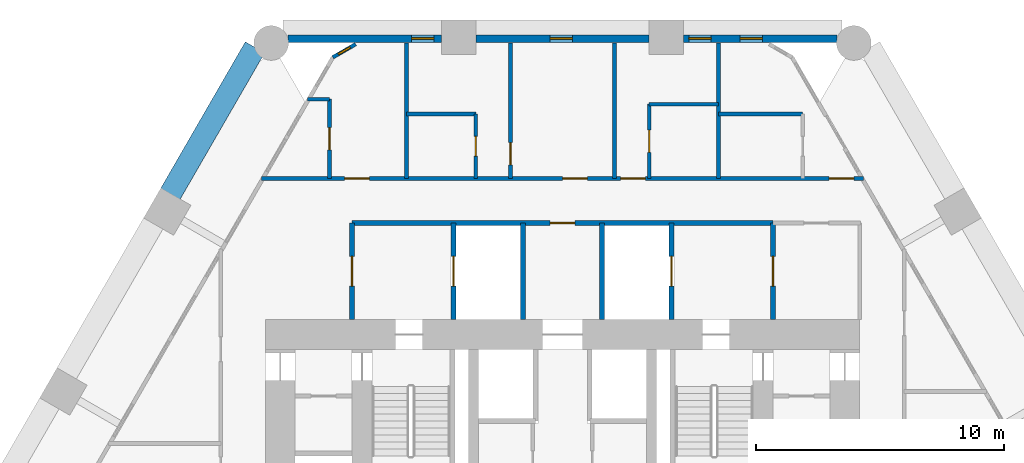
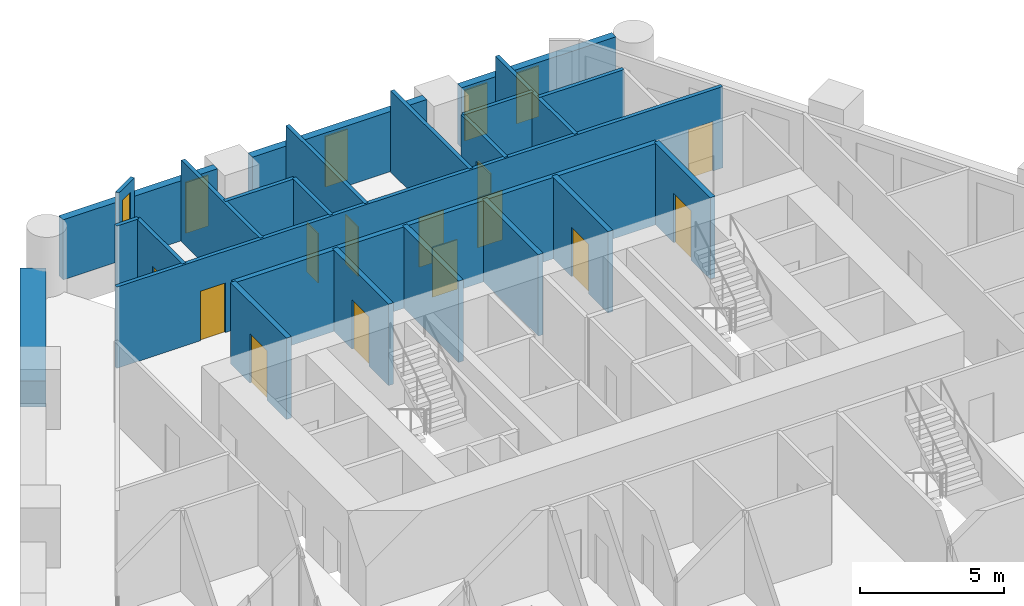
# One storey, part 6 of 8: 24 walls, 13 doors, 5 windows, 18 openings.
"""IFC4 building model written with IfcOpenShell, lengths in metres."""

from ifc_helpers import new_model, si_unit, direction, frame, frame_2d, origin, place, context, subcontext, project, spatial, rectangle, extrude, material, layer, layer_set, type_object, element, fill, save


model = new_model("IFC4")

# Units and contexts
model_context = context("Model", 3, precision=1e-05, world=origin(), true_north=direction((0.0, 1.0)))
body_context = subcontext(model_context, "Body", "Model", "MODEL_VIEW")
ifc_project = project(units=[si_unit("LENGTHUNIT", "METRE"), si_unit("AREAUNIT", "SQUARE_METRE"), si_unit("VOLUMEUNIT", "CUBIC_METRE"), si_unit("PLANEANGLEUNIT", "RADIAN"), si_unit("MASSUNIT", "GRAM", prefix="KILO")], contexts=[model_context])

# Site, building, storey
site_placement = place(None, origin())
site = spatial("IfcSite", under=ifc_project, at=site_placement, CompositionType="ELEMENT")
building_placement = place(site_placement, origin())
building = spatial("IfcBuilding", under=site, at=building_placement, Name="Ostrander Bayou Hotel Tower", CompositionType="ELEMENT")
storey_placement = place(building_placement, frame((0.0, 0.0, 43.0)))
storey = spatial("IfcBuildingStorey", under=building, at=storey_placement, Name="L10", CompositionType="ELEMENT", Elevation=43.0)

# Wall, opening, window
ifc_material_1 = material(Name="Aluminium framed insulated wall", Category="aluminium")
ifc_layer_1 = layer(ifc_material_1, 0.14990234375)
ifc_layer_set_1 = layer_set([ifc_layer_1], Name="GW1 glass-line wall 150 mm")
wall_type_1 = type_object("IfcWallType", Name="GW1 glass-line wall 150 mm", PredefinedType="SOLIDWALL", material=ifc_layer_set_1)
wall_1_placement = place(storey_placement, frame((-8.353759765625, 20.824951171875, 0.0), z_axis=(0.0, 0.0, 1.0), x_axis=(-0.865990848561, -0.500059846627, 0.0)))
wall_1 = element("IfcWall", 1, at=wall_1_placement, inside=storey, type_object=wall_type_1, Name="GW1 L10 corner 1", PredefinedType="SOLIDWALL", context=body_context, shape_type="SweptSolid", body=[
    extrude(rectangle(XDim=1.064697265625, YDim=0.14990234375, at=frame_2d((0.5322265625, 0.0))), origin(), (0.0, 0.0, 1.0), 3.449951171875),
])
opening_1_placement = place(wall_1_placement, frame((0.257568359375, 0.0, 0.14990234375)))
opening_1 = element("IfcOpeningElement", 2, at=opening_1_placement, cuts=wall_1, Name="Opening W19", PredefinedType="OPENING", context=body_context, shape_type="SweptSolid", body=[
    extrude(rectangle(XDim=0.550048828125, YDim=2.85009765625, at=frame_2d((0.27490234375, 1.425048828125))), frame((0.0, 0.074951171875, 0.0), z_axis=(0.0, -1.0, 0.0), x_axis=(1.0, 0.0, 0.0)), (0.0, 0.0, 1.0), 0.14990234375),
])
ifc_material_2 = material(Name="Aluminium and clear glass", Category="aluminium")
window_type_1 = type_object("IfcWindowType", Name="W19 corner window 550 mm", PartitioningType="SINGLE_PANEL", PredefinedType="WINDOW", material=ifc_material_2)
window_1_placement = place(opening_1_placement, origin())
window_1 = element("IfcWindow", 3, at=window_1_placement, inside=storey, type_object=window_type_1, Name="W19 L10 corner 1", OverallHeight=2.85009765625, OverallWidth=0.550048828125, PartitioningType="SINGLE_PANEL", PredefinedType="WINDOW", context=body_context, shape_type="SweptSolid", body=[
    extrude(rectangle(XDim=0.550048828125, YDim=2.85009765625, at=frame_2d((0.27490234375, 1.425048828125))), frame((0.0, 0.030029296875, 0.0), z_axis=(0.0, -1.0, 0.0), x_axis=(1.0, 0.0, 0.0)), (0.0, 0.0, 1.0), 0.06005859375),
])
fill(opening_1, window_1)

# Wall, openings, windows
ifc_material_3 = material(Name="Reconstituted stone on masonry backing", Category="masonry")
ifc_layer_2 = layer(ifc_material_3, 0.300048828125)
ifc_layer_set_2 = layer_set([ifc_layer_2], Name="NW1 north stone wall 300 mm")
wall_type_2 = type_object("IfcWallType", Name="NW1 north stone wall 300 mm", PredefinedType="SOLIDWALL", material=ifc_layer_set_2)
wall_2_placement = place(storey_placement, frame((11.093017578125, 21.050048828125, 0.0), z_axis=(0.0, 0.0, 1.0), x_axis=(-1.0, 0.0, 0.0)))
wall_2 = element("IfcWall", 4, at=wall_2_placement, inside=storey, type_object=wall_type_2, Name="NW1 L10 N-1", PredefinedType="SOLIDWALL", context=body_context, shape_type="SweptSolid", body=[
    extrude(rectangle(XDim=6.197509765625, YDim=0.300048828125, at=frame_2d((3.0986328125, 0.0))), origin(), (0.0, 0.0, 1.0), 2.550048828125),
])
opening_2_placement = place(wall_2_placement, frame((3.020263671875, 0.0, 0.14990234375)))
opening_2 = element("IfcOpeningElement", 5, at=opening_2_placement, cuts=wall_2, Name="Opening W15", PredefinedType="OPENING", context=body_context, shape_type="SweptSolid", body=[
    extrude(rectangle(XDim=0.89990234375, YDim=2.14990234375, at=frame_2d((0.449951171875, 1.074951171875))), frame((0.0, 0.14990234375, 0.0), z_axis=(0.0, -1.0, 0.0), x_axis=(1.0, 0.0, 0.0)), (0.0, 0.0, 1.0), 0.300048828125),
])
opening_3_placement = place(wall_2_placement, frame((5.093017578125, 0.0, 0.14990234375)))
opening_3 = element("IfcOpeningElement", 6, at=opening_3_placement, cuts=wall_2, Name="Opening W15", PredefinedType="OPENING", context=body_context, shape_type="SweptSolid", body=[
    extrude(rectangle(XDim=0.89990234375, YDim=2.14990234375, at=frame_2d((0.449951171875, 1.074951171875))), frame((0.0, 0.14990234375, 0.0), z_axis=(0.0, -1.0, 0.0), x_axis=(1.0, 0.0, 0.0)), (0.0, 0.0, 1.0), 0.300048828125),
])
ifc_material_4 = material(Name="Aluminium and clear glass", Category="aluminium")
window_type_2 = type_object("IfcWindowType", Name="W15 window 900 mm, zone 1", PartitioningType="SINGLE_PANEL", PredefinedType="WINDOW", material=ifc_material_4)
window_2_placement = place(opening_2_placement, origin())
window_2 = element("IfcWindow", 7, at=window_2_placement, inside=storey, type_object=window_type_2, Name="W15 L10 north N-1", OverallHeight=2.14990234375, OverallWidth=0.89990234375, PartitioningType="SINGLE_PANEL", PredefinedType="WINDOW", context=body_context, shape_type="SweptSolid", body=[
    extrude(rectangle(XDim=0.89990234375, YDim=2.14990234375, at=frame_2d((0.449951171875, 1.074951171875))), frame((0.0, 0.030029296875, 0.0), z_axis=(0.0, -1.0, 0.0), x_axis=(1.0, 0.0, 0.0)), (0.0, 0.0, 1.0), 0.06005859375),
])
fill(opening_2, window_2)
window_3_placement = place(opening_3_placement, origin())
window_3 = element("IfcWindow", 8, at=window_3_placement, inside=storey, type_object=window_type_2, Name="W15 L10 north N-1-2", OverallHeight=2.14990234375, OverallWidth=0.89990234375, PartitioningType="SINGLE_PANEL", PredefinedType="WINDOW", context=body_context, shape_type="SweptSolid", body=[
    extrude(rectangle(XDim=0.89990234375, YDim=2.14990234375, at=frame_2d((0.449951171875, 1.074951171875))), frame((0.0, 0.030029296875, 0.0), z_axis=(0.0, -1.0, 0.0), x_axis=(1.0, 0.0, 0.0)), (0.0, 0.0, 1.0), 0.06005859375),
])
fill(opening_3, window_3)

# Wall, opening, window
wall_3_placement = place(storey_placement, frame((3.495361328125, 21.050048828125, 0.0), z_axis=(0.0, 0.0, 1.0), x_axis=(-1.0, 0.0, 0.0)))
wall_3 = element("IfcWall", 9, at=wall_3_placement, inside=storey, type_object=wall_type_2, Name="NW1 L10 N-2", PredefinedType="SOLIDWALL", context=body_context, shape_type="SweptSolid", body=[
    extrude(rectangle(XDim=6.99072265625, YDim=0.300048828125, at=frame_2d((3.495361328125, 0.0))), origin(), (0.0, 0.0, 1.0), 2.550048828125),
])
opening_4_placement = place(wall_3_placement, frame((3.095458984375, 0.0, 0.14990234375)))
opening_4 = element("IfcOpeningElement", 10, at=opening_4_placement, cuts=wall_3, Name="Opening W15", PredefinedType="OPENING", context=body_context, shape_type="SweptSolid", body=[
    extrude(rectangle(XDim=0.89990234375, YDim=2.14990234375, at=frame_2d((0.449951171875, 1.074951171875))), frame((0.0, 0.14990234375, 0.0), z_axis=(0.0, -1.0, 0.0), x_axis=(1.0, 0.0, 0.0)), (0.0, 0.0, 1.0), 0.300048828125),
])
window_4_placement = place(opening_4_placement, origin())
window_4 = element("IfcWindow", 11, at=window_4_placement, inside=storey, type_object=window_type_2, Name="W15 L10 north N-2", OverallHeight=2.14990234375, OverallWidth=0.89990234375, PartitioningType="SINGLE_PANEL", PredefinedType="WINDOW", context=body_context, shape_type="SweptSolid", body=[
    extrude(rectangle(XDim=0.89990234375, YDim=2.14990234375, at=frame_2d((0.449951171875, 1.074951171875))), frame((0.0, 0.030029296875, 0.0), z_axis=(0.0, -1.0, 0.0), x_axis=(1.0, 0.0, 0.0)), (0.0, 0.0, 1.0), 0.06005859375),
])
fill(opening_4, window_4)

wall_4_placement = place(storey_placement, frame((-4.8955078125, 21.050048828125, 0.0), z_axis=(0.0, 0.0, 1.0), x_axis=(-1.0, 0.0, 0.0)))
wall_4 = element("IfcWall", 12, at=wall_4_placement, inside=storey, type_object=wall_type_2, Name="NW1 L10 N-3", PredefinedType="SOLIDWALL", context=body_context, shape_type="SweptSolid", body=[
    extrude(rectangle(XDim=6.197509765625, YDim=0.300048828125, at=frame_2d((3.0986328125, 0.0))), origin(), (0.0, 0.0, 1.0), 2.550048828125),
])
opening_5_placement = place(wall_4_placement, frame((0.300048828125, 0.0, 0.14990234375)))
opening_5 = element("IfcOpeningElement", 13, at=opening_5_placement, cuts=wall_4, Name="Opening W15", PredefinedType="OPENING", context=body_context, shape_type="SweptSolid", body=[
    extrude(rectangle(XDim=0.89990234375, YDim=2.14990234375, at=frame_2d((0.449951171875, 1.074951171875))), frame((0.0, 0.14990234375, 0.0), z_axis=(0.0, -1.0, 0.0), x_axis=(1.0, 0.0, 0.0)), (0.0, 0.0, 1.0), 0.300048828125),
])
window_5_placement = place(opening_5_placement, origin())
window_5 = element("IfcWindow", 14, at=window_5_placement, inside=storey, type_object=window_type_2, Name="W15 L10 north N-3", OverallHeight=2.14990234375, OverallWidth=0.89990234375, PartitioningType="SINGLE_PANEL", PredefinedType="WINDOW", context=body_context, shape_type="SweptSolid", body=[
    extrude(rectangle(XDim=0.89990234375, YDim=2.14990234375, at=frame_2d((0.449951171875, 1.074951171875))), frame((0.0, 0.030029296875, 0.0), z_axis=(0.0, -1.0, 0.0), x_axis=(1.0, 0.0, 0.0)), (0.0, 0.0, 1.0), 0.06005859375),
])
fill(opening_5, window_5)

# Wall
ifc_material_5 = material(Name="Concrete f'c 40 MPa", Category="concrete")
ifc_layer_3 = layer(ifc_material_5, 0.89990234375)
ifc_layer_set_3 = layer_set([ifc_layer_3], Name="PA1 stone-faced parapet 900 mm")
wall_type_3 = type_object("IfcWallType", Name="PA1 stone-faced parapet 900 mm", PredefinedType="PARAPET", material=ifc_layer_set_3)
wall_5_placement = place(storey_placement, frame((-12.421630859375, 20.694091796875, 0.0), z_axis=(0.0, 0.0, 1.0), x_axis=(-0.499994135611, -0.866028789565, 0.0)))
element("IfcWall", 15, at=wall_5_placement, inside=storey, type_object=wall_type_3, Name="PA1 L10 NW-1", PredefinedType="PARAPET", context=body_context, shape_type="SweptSolid", body=[
    extrude(rectangle(XDim=6.84521484375, YDim=0.89990234375, at=frame_2d((3.422607421875, 0.0))), origin(), (0.0, 0.0, 1.0), 1.10009765625),
])

# Wall, opening, door
ifc_material_6 = material(Name="Masonry block", Category="masonry")
ifc_layer_4 = layer(ifc_material_6, 0.199951171875)
ifc_layer_set_4 = layer_set([ifc_layer_4], Name="PT5 stair enclosure wall 200 mm masonry, 2 hour")
wall_type_4 = type_object("IfcWallType", Name="PT5 stair enclosure wall 200 mm masonry, 2 hour", PredefinedType="PARTITIONING", material=ifc_layer_set_4)
wall_6_placement = place(storey_placement, frame((-8.5, 13.60009765625, 0.0), z_axis=(0.0, 0.0, 1.0), x_axis=(1.0, 0.0, 0.0)))
wall_6 = element("IfcWall", 16, at=wall_6_placement, inside=storey, type_object=wall_type_4, Name="cs:L10:027", PredefinedType="PARTITIONING", context=body_context, shape_type="SweptSolid", body=[
    extrude(rectangle(XDim=17.0, YDim=0.199951171875, at=frame_2d((8.5, 0.0))), origin(), (0.0, 0.0, 1.0), 3.449951171875),
])
opening_6_placement = place(wall_6_placement, frame((8.0, 0.0, 0.0)))
opening_6 = element("IfcOpeningElement", 17, at=opening_6_placement, cuts=wall_6, Name="Opening T09-013", PredefinedType="OPENING", context=body_context, shape_type="SweptSolid", body=[
    extrude(rectangle(XDim=1.0, YDim=2.10009765625, at=frame_2d((0.5, 1.050048828125))), frame((0.0, 0.10009765625, 0.0), z_axis=(0.0, -1.0, 0.0), x_axis=(1.0, 0.0, 0.0)), (0.0, 0.0, 1.0), 0.199951171875),
])
ifc_material_7 = material(Name="Timber door leaf", Category="wood")
door_type_1 = type_object("IfcDoorType", Name="D9 service door 1000 x 2100 mm, 30 minute", OperationType="SINGLE_SWING_LEFT", PredefinedType="DOOR", material=ifc_material_7)
door_1_placement = place(opening_6_placement, origin())
door_1 = element("IfcDoor", 18, at=door_1_placement, inside=storey, type_object=door_type_1, Name="dr:L10:013", OperationType="SINGLE_SWING_LEFT", OverallHeight=2.10009765625, OverallWidth=1.0, PredefinedType="DOOR", context=body_context, shape_type="SweptSolid", body=[
    extrude(rectangle(XDim=1.0, YDim=2.10009765625, at=frame_2d((0.5, 1.050048828125))), frame((0.0, 0.02490234375, 0.0), z_axis=(0.0, -1.0, 0.0), x_axis=(1.0, 0.0, 0.0)), (0.0, 0.0, 1.0), 0.050048828125),
])
fill(opening_6, door_1)

wall_7_placement = place(storey_placement, frame((-8.5, 9.699951171875, 0.0), z_axis=(0.0, 0.0, 1.0), x_axis=(0.0, 1.0, 0.0)))
wall_7 = element("IfcWall", 19, at=wall_7_placement, inside=storey, type_object=wall_type_4, Name="cs:L10:028", PredefinedType="PARTITIONING", context=body_context, shape_type="SweptSolid", body=[
    extrude(rectangle(XDim=3.900146484375, YDim=0.199951171875, at=frame_2d((1.9501953125, 0.0))), origin(), (0.0, 0.0, 1.0), 3.449951171875),
])
opening_7_placement = place(wall_7_placement, frame((1.35009765625, 0.0, 0.0)))
opening_7 = element("IfcOpeningElement", 20, at=opening_7_placement, cuts=wall_7, Name="Opening T09-010", PredefinedType="OPENING", context=body_context, shape_type="SweptSolid", body=[
    extrude(rectangle(XDim=1.199951171875, YDim=2.10009765625, at=frame_2d((0.60009765625, 1.050048828125))), frame((0.0, 0.10009765625, 0.0), z_axis=(0.0, -1.0, 0.0), x_axis=(1.0, 0.0, 0.0)), (0.0, 0.0, 1.0), 0.199951171875),
])
ifc_material_8 = material(Name="Timber door leaf", Category="wood")
door_type_2 = type_object("IfcDoorType", Name="D7 lobby door 1200 x 2100 mm, 1 hour", OperationType="SINGLE_SWING_LEFT", PredefinedType="DOOR", material=ifc_material_8)
door_2_placement = place(opening_7_placement, origin())
door_2 = element("IfcDoor", 21, at=door_2_placement, inside=storey, type_object=door_type_2, Name="dr:L10:010", OperationType="SINGLE_SWING_LEFT", OverallHeight=2.10009765625, OverallWidth=1.199951171875, PredefinedType="DOOR", context=body_context, shape_type="SweptSolid", body=[
    extrude(rectangle(XDim=1.199951171875, YDim=2.10009765625, at=frame_2d((0.60009765625, 1.050048828125))), frame((0.0, 0.02490234375, 0.0), z_axis=(0.0, -1.0, 0.0), x_axis=(1.0, 0.0, 0.0)), (0.0, 0.0, 1.0), 0.050048828125),
])
fill(opening_7, door_2)

wall_8_placement = place(storey_placement, frame((8.5, 9.699951171875, 0.0), z_axis=(0.0, 0.0, 1.0), x_axis=(0.0, 1.0, 0.0)))
wall_8 = element("IfcWall", 22, at=wall_8_placement, inside=storey, type_object=wall_type_4, Name="cs:L10:029", PredefinedType="PARTITIONING", context=body_context, shape_type="SweptSolid", body=[
    extrude(rectangle(XDim=3.900146484375, YDim=0.199951171875, at=frame_2d((1.9501953125, 0.0))), origin(), (0.0, 0.0, 1.0), 3.449951171875),
])
opening_8_placement = place(wall_8_placement, frame((1.35009765625, 0.0, 0.0)))
opening_8 = element("IfcOpeningElement", 23, at=opening_8_placement, cuts=wall_8, Name="Opening T09-012", PredefinedType="OPENING", context=body_context, shape_type="SweptSolid", body=[
    extrude(rectangle(XDim=1.199951171875, YDim=2.10009765625, at=frame_2d((0.60009765625, 1.050048828125))), frame((0.0, 0.10009765625, 0.0), z_axis=(0.0, -1.0, 0.0), x_axis=(1.0, 0.0, 0.0)), (0.0, 0.0, 1.0), 0.199951171875),
])
door_3_placement = place(opening_8_placement, origin())
door_3 = element("IfcDoor", 24, at=door_3_placement, inside=storey, type_object=door_type_2, Name="dr:L10:012", OperationType="SINGLE_SWING_LEFT", OverallHeight=2.10009765625, OverallWidth=1.199951171875, PredefinedType="DOOR", context=body_context, shape_type="SweptSolid", body=[
    extrude(rectangle(XDim=1.199951171875, YDim=2.10009765625, at=frame_2d((0.60009765625, 1.050048828125))), frame((0.0, 0.02490234375, 0.0), z_axis=(0.0, -1.0, 0.0), x_axis=(1.0, 0.0, 0.0)), (0.0, 0.0, 1.0), 0.050048828125),
])
fill(opening_8, door_3)

wall_9_placement = place(storey_placement, frame((-4.39990234375, 9.699951171875, 0.0), z_axis=(0.0, 0.0, 1.0), x_axis=(0.0, 1.0, 0.0)))
wall_9 = element("IfcWall", 25, at=wall_9_placement, inside=storey, type_object=wall_type_4, Name="cs:L10:030", PredefinedType="PARTITIONING", context=body_context, shape_type="SweptSolid", body=[
    extrude(rectangle(XDim=3.900146484375, YDim=0.199951171875, at=frame_2d((1.9501953125, 0.0))), origin(), (0.0, 0.0, 1.0), 3.449951171875),
])
opening_9_placement = place(wall_9_placement, frame((1.35009765625, 0.0, 0.0)))
opening_9 = element("IfcOpeningElement", 26, at=opening_9_placement, cuts=wall_9, Name="Opening T09-009", PredefinedType="OPENING", context=body_context, shape_type="SweptSolid", body=[
    extrude(rectangle(XDim=1.199951171875, YDim=2.10009765625, at=frame_2d((0.60009765625, 1.050048828125))), frame((0.0, 0.10009765625, 0.0), z_axis=(0.0, -1.0, 0.0), x_axis=(1.0, 0.0, 0.0)), (0.0, 0.0, 1.0), 0.199951171875),
])
ifc_material_9 = material(Name="Stainless steel sliding door", Category="steel")
door_type_3 = type_object("IfcDoorType", Name="LD1 lift landing door 1200 x 2100 mm", OperationType="SINGLE_SWING_LEFT", PredefinedType="DOOR", material=ifc_material_9)
door_4_placement = place(opening_9_placement, origin())
door_4 = element("IfcDoor", 27, at=door_4_placement, inside=storey, type_object=door_type_3, Name="dr:L10:009", OperationType="SLIDING_TO_LEFT", OverallHeight=2.10009765625, OverallWidth=1.199951171875, PredefinedType="DOOR", context=body_context, shape_type="SweptSolid", body=[
    extrude(rectangle(XDim=1.199951171875, YDim=2.10009765625, at=frame_2d((0.60009765625, 1.050048828125))), frame((0.0, 0.02490234375, 0.0), z_axis=(0.0, -1.0, 0.0), x_axis=(1.0, 0.0, 0.0)), (0.0, 0.0, 1.0), 0.050048828125),
])
fill(opening_9, door_4)

wall_10_placement = place(storey_placement, frame((4.39990234375, 9.699951171875, 0.0), z_axis=(0.0, 0.0, 1.0), x_axis=(0.0, 1.0, 0.0)))
wall_10 = element("IfcWall", 28, at=wall_10_placement, inside=storey, type_object=wall_type_4, Name="cs:L10:031", PredefinedType="PARTITIONING", context=body_context, shape_type="SweptSolid", body=[
    extrude(rectangle(XDim=3.900146484375, YDim=0.199951171875, at=frame_2d((1.9501953125, 0.0))), origin(), (0.0, 0.0, 1.0), 3.449951171875),
])
opening_10_placement = place(wall_10_placement, frame((1.35009765625, 0.0, 0.0)))
opening_10 = element("IfcOpeningElement", 29, at=opening_10_placement, cuts=wall_10, Name="Opening T09-011", PredefinedType="OPENING", context=body_context, shape_type="SweptSolid", body=[
    extrude(rectangle(XDim=1.199951171875, YDim=2.10009765625, at=frame_2d((0.60009765625, 1.050048828125))), frame((0.0, 0.10009765625, 0.0), z_axis=(0.0, -1.0, 0.0), x_axis=(1.0, 0.0, 0.0)), (0.0, 0.0, 1.0), 0.199951171875),
])
door_5_placement = place(opening_10_placement, origin())
door_5 = element("IfcDoor", 30, at=door_5_placement, inside=storey, type_object=door_type_3, Name="dr:L10:011", OperationType="SLIDING_TO_LEFT", OverallHeight=2.10009765625, OverallWidth=1.199951171875, PredefinedType="DOOR", context=body_context, shape_type="SweptSolid", body=[
    extrude(rectangle(XDim=1.199951171875, YDim=2.10009765625, at=frame_2d((0.60009765625, 1.050048828125))), frame((0.0, 0.02490234375, 0.0), z_axis=(0.0, -1.0, 0.0), x_axis=(1.0, 0.0, 0.0)), (0.0, 0.0, 1.0), 0.050048828125),
])
fill(opening_10, door_5)

# Walls
ifc_material_10 = material(Name="Masonry block", Category="masonry")
ifc_layer_5 = layer(ifc_material_10, 0.199951171875)
ifc_layer_set_5 = layer_set([ifc_layer_5], Name="PT6 lift shaft wall 200 mm masonry, 2 hour")
wall_type_5 = type_object("IfcWallType", Name="PT6 lift shaft wall 200 mm masonry, 2 hour", PredefinedType="PARTITIONING", material=ifc_layer_set_5)
for number, where, z_axis, x_axis, name in (
    (31, (-1.60009765625, 9.699951171875, 0.0), (0.0, 0.0, 1.0), (0.0, 1.0, 0.0), "cs:L10:032"),
    (32, (1.60009765625, 9.699951171875, 0.0), (0.0, 0.0, 1.0), (0.0, 1.0, 0.0), "cs:L10:033"),
):
    element("IfcWall", number, at=place(storey_placement, frame(where, z_axis=z_axis, x_axis=x_axis)), inside=storey, type_object=wall_type_5, Name=name, PredefinedType="PARTITIONING", context=body_context, shape_type="SweptSolid", body=[
        extrude(rectangle(XDim=3.900146484375, YDim=0.199951171875, at=frame_2d((1.9501953125, 0.0))), origin(), (0.0, 0.0, 1.0), 3.449951171875),
    ])

# Wall, openings, doors
ifc_material_11 = material(Name="Gypsum board partition", Category="finish")
ifc_layer_6 = layer(ifc_material_11, 0.14990234375)
ifc_layer_set_6 = layer_set([ifc_layer_6], Name="PT8 service band wall 150 mm, 1 hour")
wall_type_6 = type_object("IfcWallType", Name="PT8 service band wall 150 mm, 1 hour", PredefinedType="PARTITIONING", material=ifc_layer_set_6)
wall_11_placement = place(storey_placement, frame((-12.153076171875, 15.39990234375, 0.0), z_axis=(0.0, 0.0, 1.0), x_axis=(1.0, 0.0, 0.0)))
wall_11 = element("IfcWall", 33, at=wall_11_placement, inside=storey, type_object=wall_type_6, Name="gw:L10:013", PredefinedType="PARTITIONING", context=body_context, shape_type="SweptSolid", body=[
    extrude(rectangle(XDim=24.30615234375, YDim=0.14990234375, at=frame_2d((12.153076171875, 0.0))), origin(), (0.0, 0.0, 1.0), 3.449951171875),
])
opening_11_placement = place(wall_11_placement, frame((3.35302734375, 0.0, 0.0)))
opening_11 = element("IfcOpeningElement", 34, at=opening_11_placement, cuts=wall_11, Name="Opening T09-416", PredefinedType="OPENING", context=body_context, shape_type="SweptSolid", body=[
    extrude(rectangle(XDim=1.0, YDim=2.10009765625, at=frame_2d((0.5, 1.050048828125))), frame((0.0, 0.074951171875, 0.0), z_axis=(0.0, -1.0, 0.0), x_axis=(1.0, 0.0, 0.0)), (0.0, 0.0, 1.0), 0.14990234375),
])
opening_12_placement = place(wall_11_placement, frame((12.153076171875, 0.0, 0.0)))
opening_12 = element("IfcOpeningElement", 35, at=opening_12_placement, cuts=wall_11, Name="Opening T09-418", PredefinedType="OPENING", context=body_context, shape_type="SweptSolid", body=[
    extrude(rectangle(XDim=1.0, YDim=2.10009765625, at=frame_2d((0.5, 1.050048828125))), frame((0.0, 0.074951171875, 0.0), z_axis=(0.0, -1.0, 0.0), x_axis=(1.0, 0.0, 0.0)), (0.0, 0.0, 1.0), 0.14990234375),
])
opening_13_placement = place(wall_11_placement, frame((14.5029296875, 0.0, 0.0)))
opening_13 = element("IfcOpeningElement", 36, at=opening_13_placement, cuts=wall_11, Name="Opening T09-421", PredefinedType="OPENING", context=body_context, shape_type="SweptSolid", body=[
    extrude(rectangle(XDim=1.0, YDim=2.10009765625, at=frame_2d((0.5, 1.050048828125))), frame((0.0, 0.074951171875, 0.0), z_axis=(0.0, -1.0, 0.0), x_axis=(1.0, 0.0, 0.0)), (0.0, 0.0, 1.0), 0.14990234375),
])
opening_14_placement = place(wall_11_placement, frame((22.91796875, 0.0, 0.0)))
opening_14 = element("IfcOpeningElement", 37, at=opening_14_placement, cuts=wall_11, Name="Opening T09-423", PredefinedType="OPENING", context=body_context, shape_type="SweptSolid", body=[
    extrude(rectangle(XDim=1.0, YDim=2.10009765625, at=frame_2d((0.5, 1.050048828125))), frame((0.0, 0.074951171875, 0.0), z_axis=(0.0, -1.0, 0.0), x_axis=(1.0, 0.0, 0.0)), (0.0, 0.0, 1.0), 0.14990234375),
])
ifc_material_12 = material(Name="Timber door leaf", Category="wood")
door_type_4 = type_object("IfcDoorType", Name="D1 guest room door 1000 x 2100 mm, 30 minute", OperationType="SINGLE_SWING_LEFT", PredefinedType="DOOR", material=ifc_material_12)
door_6_placement = place(opening_12_placement, origin())
door_6 = element("IfcDoor", 38, at=door_6_placement, inside=storey, type_object=door_type_4, Name="dr:L10:418", OperationType="SINGLE_SWING_RIGHT", OverallHeight=2.10009765625, OverallWidth=1.0, PredefinedType="DOOR", context=body_context, shape_type="SweptSolid", body=[
    extrude(rectangle(XDim=1.0, YDim=2.10009765625, at=frame_2d((0.5, 1.050048828125))), frame((0.0, 0.02490234375, 0.0), z_axis=(0.0, -1.0, 0.0), x_axis=(1.0, 0.0, 0.0)), (0.0, 0.0, 1.0), 0.050048828125),
])
fill(opening_12, door_6)
door_7_placement = place(opening_13_placement, origin())
door_7 = element("IfcDoor", 39, at=door_7_placement, inside=storey, type_object=door_type_4, Name="dr:L10:421", OperationType="SINGLE_SWING_LEFT", OverallHeight=2.10009765625, OverallWidth=1.0, PredefinedType="DOOR", context=body_context, shape_type="SweptSolid", body=[
    extrude(rectangle(XDim=1.0, YDim=2.10009765625, at=frame_2d((0.5, 1.050048828125))), frame((0.0, 0.02490234375, 0.0), z_axis=(0.0, -1.0, 0.0), x_axis=(1.0, 0.0, 0.0)), (0.0, 0.0, 1.0), 0.050048828125),
])
fill(opening_13, door_7)
door_8_placement = place(opening_14_placement, origin())
door_8 = element("IfcDoor", 40, at=door_8_placement, inside=storey, type_object=door_type_4, Name="dr:L10:423", OperationType="SINGLE_SWING_RIGHT", OverallHeight=2.10009765625, OverallWidth=1.0, PredefinedType="DOOR", context=body_context, shape_type="SweptSolid", body=[
    extrude(rectangle(XDim=1.0, YDim=2.10009765625, at=frame_2d((0.5, 1.050048828125))), frame((0.0, 0.02490234375, 0.0), z_axis=(0.0, -1.0, 0.0), x_axis=(1.0, 0.0, 0.0)), (0.0, 0.0, 1.0), 0.050048828125),
])
fill(opening_14, door_8)
ifc_material_13 = material(Name="Timber door leaf", Category="wood")
door_type_5 = type_object("IfcDoorType", Name="D15 room door 1000 x 2100 mm", OperationType="SINGLE_SWING_LEFT", PredefinedType="DOOR", material=ifc_material_13)
door_9_placement = place(opening_11_placement, origin())
door_9 = element("IfcDoor", 41, at=door_9_placement, inside=storey, type_object=door_type_5, Name="dr:L10:416", OperationType="SINGLE_SWING_RIGHT", OverallHeight=2.10009765625, OverallWidth=1.0, PredefinedType="DOOR", context=body_context, shape_type="SweptSolid", body=[
    extrude(rectangle(XDim=1.0, YDim=2.10009765625, at=frame_2d((0.5, 1.050048828125))), frame((0.0, 0.02490234375, 0.0), z_axis=(0.0, -1.0, 0.0), x_axis=(1.0, 0.0, 0.0)), (0.0, 0.0, 1.0), 0.050048828125),
])
fill(opening_11, door_9)

# Walls
wall_12_placement = place(storey_placement, frame((-6.300048828125, 18.0, 0.0), z_axis=(0.0, 0.0, 1.0), x_axis=(1.0, 0.0, 0.0)))
element("IfcWall", 42, at=wall_12_placement, inside=storey, type_object=wall_type_6, Name="gw:L10:014", PredefinedType="PARTITIONING", context=body_context, shape_type="SweptSolid", body=[
    extrude(rectangle(XDim=2.800048828125, YDim=0.14990234375, at=frame_2d((1.39990234375, 0.0))), origin(), (0.0, 0.0, 1.0), 3.449951171875),
])
wall_13_placement = place(storey_placement, frame((6.300048828125, 18.0, 0.0), z_axis=(0.0, 0.0, 1.0), x_axis=(1.0, 0.0, 0.0)))
element("IfcWall", 43, at=wall_13_placement, inside=storey, type_object=wall_type_6, Name="gw:L10:015", PredefinedType="PARTITIONING", context=body_context, shape_type="SweptSolid", body=[
    extrude(rectangle(XDim=3.39990234375, YDim=0.14990234375, at=frame_2d((1.699951171875, 0.0))), origin(), (0.0, 0.0, 1.0), 3.449951171875),
])
wall_14_placement = place(storey_placement, frame((3.5, 18.39990234375, 0.0), z_axis=(0.0, 0.0, 1.0), x_axis=(1.0, 0.0, 0.0)))
element("IfcWall", 44, at=wall_14_placement, inside=storey, type_object=wall_type_6, Name="gw:L10:016", PredefinedType="PARTITIONING", context=body_context, shape_type="SweptSolid", body=[
    extrude(rectangle(XDim=2.800048828125, YDim=0.14990234375, at=frame_2d((1.39990234375, 0.0))), origin(), (0.0, 0.0, 1.0), 3.449951171875),
])
wall_15_placement = place(storey_placement, frame((-10.304931640625, 18.60009765625, 0.0), z_axis=(0.0, 0.0, 1.0), x_axis=(1.0, 0.0, 0.0)))
element("IfcWall", 45, at=wall_15_placement, inside=storey, type_object=wall_type_6, Name="gw:L10:017", PredefinedType="PARTITIONING", context=body_context, shape_type="SweptSolid", body=[
    extrude(rectangle(XDim=0.889892578125, YDim=0.14990234375, at=frame_2d((0.44482421875, 0.0))), origin(), (0.0, 0.0, 1.0), 3.449951171875),
])
wall_16_placement = place(storey_placement, frame((6.300048828125, 15.39990234375, 0.0), z_axis=(0.0, 0.0, 1.0), x_axis=(0.0, 1.0, 0.0)))
element("IfcWall", 46, at=wall_16_placement, inside=storey, type_object=wall_type_6, Name="gw:L10:023", PredefinedType="PARTITIONING", context=body_context, shape_type="SweptSolid", body=[
    extrude(rectangle(XDim=5.47021484375, YDim=0.14990234375, at=frame_2d((2.735107421875, 0.0))), origin(), (0.0, 0.0, 1.0), 3.449951171875),
])

# Wall, opening, door
wall_17_placement = place(storey_placement, frame((3.5, 15.39990234375, 0.0), z_axis=(0.0, 0.0, 1.0), x_axis=(0.0, 1.0, 0.0)))
wall_17 = element("IfcWall", 47, at=wall_17_placement, inside=storey, type_object=wall_type_6, Name="gw:L10:025", PredefinedType="PARTITIONING", context=body_context, shape_type="SweptSolid", body=[
    extrude(rectangle(XDim=3.0, YDim=0.14990234375, at=frame_2d((1.5, 0.0))), origin(), (0.0, 0.0, 1.0), 3.449951171875),
])
opening_15_placement = place(wall_17_placement, frame((1.050048828125, 0.0, 0.0)))
opening_15 = element("IfcOpeningElement", 48, at=opening_15_placement, cuts=wall_17, Name="Opening T09-422", PredefinedType="OPENING", context=body_context, shape_type="SweptSolid", body=[
    extrude(rectangle(XDim=0.89990234375, YDim=2.10009765625, at=frame_2d((0.449951171875, 1.050048828125))), frame((0.0, 0.074951171875, 0.0), z_axis=(0.0, -1.0, 0.0), x_axis=(1.0, 0.0, 0.0)), (0.0, 0.0, 1.0), 0.14990234375),
])
ifc_material_14 = material(Name="Timber door leaf", Category="wood")
door_type_6 = type_object("IfcDoorType", Name="D14 bathroom door 900 x 2100 mm", OperationType="SINGLE_SWING_LEFT", PredefinedType="DOOR", material=ifc_material_14)
door_10_placement = place(opening_15_placement, origin())
door_10 = element("IfcDoor", 49, at=door_10_placement, inside=storey, type_object=door_type_6, Name="dr:L10:422", OperationType="SINGLE_SWING_LEFT", OverallHeight=2.10009765625, OverallWidth=0.89990234375, PredefinedType="DOOR", context=body_context, shape_type="SweptSolid", body=[
    extrude(rectangle(XDim=0.89990234375, YDim=2.10009765625, at=frame_2d((0.449951171875, 1.050048828125))), frame((0.0, 0.02490234375, 0.0), z_axis=(0.0, -1.0, 0.0), x_axis=(1.0, 0.0, 0.0)), (0.0, 0.0, 1.0), 0.050048828125),
])
fill(opening_15, door_10)

# Wall
wall_18_placement = place(storey_placement, frame((2.10009765625, 15.39990234375, 0.0), z_axis=(0.0, 0.0, 1.0), x_axis=(0.0, 1.0, 0.0)))
element("IfcWall", 50, at=wall_18_placement, inside=storey, type_object=wall_type_6, Name="gw:L10:027", PredefinedType="PARTITIONING", context=body_context, shape_type="SweptSolid", body=[
    extrude(rectangle(XDim=5.47021484375, YDim=0.14990234375, at=frame_2d((2.735107421875, 0.0))), origin(), (0.0, 0.0, 1.0), 3.449951171875),
])

# Wall, opening, door
wall_19_placement = place(storey_placement, frame((-2.10009765625, 15.39990234375, 0.0), z_axis=(0.0, 0.0, 1.0), x_axis=(0.0, 1.0, 0.0)))
wall_19 = element("IfcWall", 51, at=wall_19_placement, inside=storey, type_object=wall_type_6, Name="gw:L10:029", PredefinedType="PARTITIONING", context=body_context, shape_type="SweptSolid", body=[
    extrude(rectangle(XDim=5.47021484375, YDim=0.14990234375, at=frame_2d((2.735107421875, 0.0))), origin(), (0.0, 0.0, 1.0), 3.449951171875),
])
opening_16_placement = place(wall_19_placement, frame((0.550048828125, 0.0, 0.0)))
opening_16 = element("IfcOpeningElement", 52, at=opening_16_placement, cuts=wall_19, Name="Opening T09-419", PredefinedType="OPENING", context=body_context, shape_type="SweptSolid", body=[
    extrude(rectangle(XDim=0.89990234375, YDim=2.10009765625, at=frame_2d((0.449951171875, 1.050048828125))), frame((0.0, 0.074951171875, 0.0), z_axis=(0.0, -1.0, 0.0), x_axis=(1.0, 0.0, 0.0)), (0.0, 0.0, 1.0), 0.14990234375),
])
ifc_material_15 = material(Name="Timber door leaf", Category="wood")
door_type_7 = type_object("IfcDoorType", Name="D8 room door 900 x 2100 mm", OperationType="SINGLE_SWING_LEFT", PredefinedType="DOOR", material=ifc_material_15)
door_11_placement = place(opening_16_placement, origin())
door_11 = element("IfcDoor", 53, at=door_11_placement, inside=storey, type_object=door_type_7, Name="dr:L10:419", OperationType="SINGLE_SWING_LEFT", OverallHeight=2.10009765625, OverallWidth=0.89990234375, PredefinedType="DOOR", context=body_context, shape_type="SweptSolid", body=[
    extrude(rectangle(XDim=0.89990234375, YDim=2.10009765625, at=frame_2d((0.449951171875, 1.050048828125))), frame((0.0, 0.02490234375, 0.0), z_axis=(0.0, -1.0, 0.0), x_axis=(1.0, 0.0, 0.0)), (0.0, 0.0, 1.0), 0.050048828125),
])
fill(opening_16, door_11)

wall_20_placement = place(storey_placement, frame((-3.5, 15.39990234375, 0.0), z_axis=(0.0, 0.0, 1.0), x_axis=(0.0, 1.0, 0.0)))
wall_20 = element("IfcWall", 54, at=wall_20_placement, inside=storey, type_object=wall_type_6, Name="gw:L10:031", PredefinedType="PARTITIONING", context=body_context, shape_type="SweptSolid", body=[
    extrude(rectangle(XDim=2.60009765625, YDim=0.14990234375, at=frame_2d((1.300048828125, 0.0))), origin(), (0.0, 0.0, 1.0), 3.449951171875),
])
opening_17_placement = place(wall_20_placement, frame((0.89990234375, 0.0, 0.0)))
opening_17 = element("IfcOpeningElement", 55, at=opening_17_placement, cuts=wall_20, Name="Opening T09-420", PredefinedType="OPENING", context=body_context, shape_type="SweptSolid", body=[
    extrude(rectangle(XDim=0.800048828125, YDim=2.10009765625, at=frame_2d((0.39990234375, 1.050048828125))), frame((0.0, 0.074951171875, 0.0), z_axis=(0.0, -1.0, 0.0), x_axis=(1.0, 0.0, 0.0)), (0.0, 0.0, 1.0), 0.14990234375),
])
ifc_material_16 = material(Name="Timber door leaf", Category="wood")
door_type_8 = type_object("IfcDoorType", Name="D2 bathroom door 800 x 2100 mm", OperationType="SINGLE_SWING_LEFT", PredefinedType="DOOR", material=ifc_material_16)
door_12_placement = place(opening_17_placement, origin())
door_12 = element("IfcDoor", 56, at=door_12_placement, inside=storey, type_object=door_type_8, Name="dr:L10:420", OperationType="SINGLE_SWING_LEFT", OverallHeight=2.10009765625, OverallWidth=0.800048828125, PredefinedType="DOOR", context=body_context, shape_type="SweptSolid", body=[
    extrude(rectangle(XDim=0.800048828125, YDim=2.10009765625, at=frame_2d((0.39990234375, 1.050048828125))), frame((0.0, 0.02490234375, 0.0), z_axis=(0.0, -1.0, 0.0), x_axis=(1.0, 0.0, 0.0)), (0.0, 0.0, 1.0), 0.050048828125),
])
fill(opening_17, door_12)

# Wall
wall_21_placement = place(storey_placement, frame((-6.300048828125, 15.39990234375, 0.0), z_axis=(0.0, 0.0, 1.0), x_axis=(0.0, 1.0, 0.0)))
element("IfcWall", 57, at=wall_21_placement, inside=storey, type_object=wall_type_6, Name="gw:L10:033", PredefinedType="PARTITIONING", context=body_context, shape_type="SweptSolid", body=[
    extrude(rectangle(XDim=5.47021484375, YDim=0.14990234375, at=frame_2d((2.735107421875, 0.0))), origin(), (0.0, 0.0, 1.0), 3.449951171875),
])

# Wall, opening, door
wall_22_placement = place(storey_placement, frame((-9.4150390625, 15.39990234375, 0.0), z_axis=(0.0, 0.0, 1.0), x_axis=(0.0, 1.0, 0.0)))
wall_22 = element("IfcWall", 58, at=wall_22_placement, inside=storey, type_object=wall_type_6, Name="gw:L10:035", PredefinedType="PARTITIONING", context=body_context, shape_type="SweptSolid", body=[
    extrude(rectangle(XDim=3.2001953125, YDim=0.14990234375, at=frame_2d((1.60009765625, 0.0))), origin(), (0.0, 0.0, 1.0), 3.449951171875),
])
opening_18_placement = place(wall_22_placement, frame((1.14990234375, 0.0, 0.0)))
opening_18 = element("IfcOpeningElement", 59, at=opening_18_placement, cuts=wall_22, Name="Opening T09-417", PredefinedType="OPENING", context=body_context, shape_type="SweptSolid", body=[
    extrude(rectangle(XDim=0.89990234375, YDim=2.10009765625, at=frame_2d((0.449951171875, 1.050048828125))), frame((0.0, 0.074951171875, 0.0), z_axis=(0.0, -1.0, 0.0), x_axis=(1.0, 0.0, 0.0)), (0.0, 0.0, 1.0), 0.14990234375),
])
door_13_placement = place(opening_18_placement, origin())
door_13 = element("IfcDoor", 60, at=door_13_placement, inside=storey, type_object=door_type_7, Name="dr:L10:417", OperationType="SINGLE_SWING_LEFT", OverallHeight=2.10009765625, OverallWidth=0.89990234375, PredefinedType="DOOR", context=body_context, shape_type="SweptSolid", body=[
    extrude(rectangle(XDim=0.89990234375, YDim=2.10009765625, at=frame_2d((0.449951171875, 1.050048828125))), frame((0.0, 0.02490234375, 0.0), z_axis=(0.0, -1.0, 0.0), x_axis=(1.0, 0.0, 0.0)), (0.0, 0.0, 1.0), 0.050048828125),
])
fill(opening_18, door_13)

save(model, "model.ifc")
